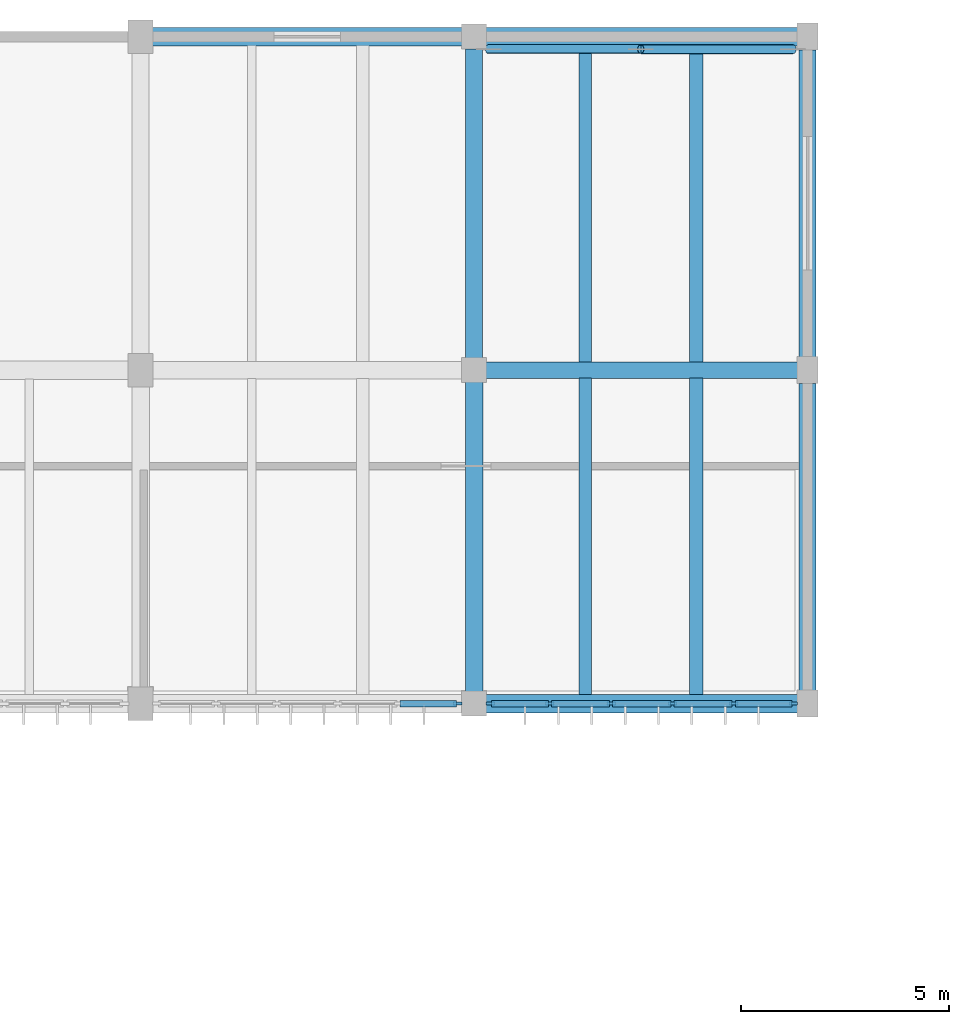
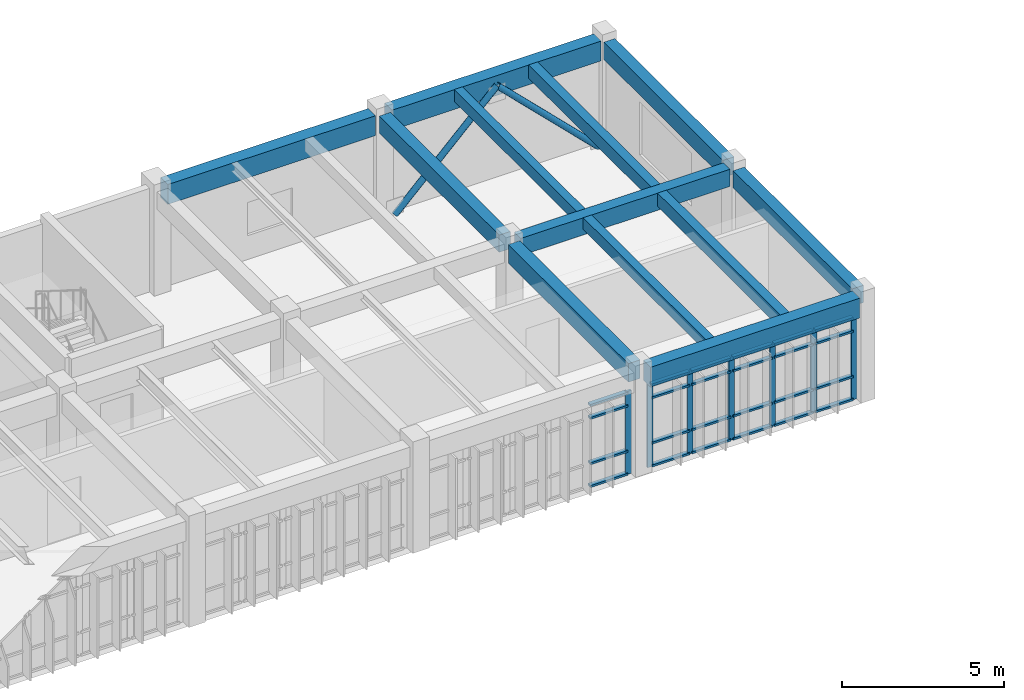
# One storey, part 28 of 67: 33 members, 12 beams, 2 elements without a shape of their own.
"""IFC4 building model written with IfcOpenShell, lengths in metres."""

from ifc_helpers import new_model, si_unit, direction, frame, origin, origin_2d, place, context, subcontext, project, spatial, rectangle, hollow_circle, extrude, material, material_profile, profile_set, type_object, element, aggregate, save


model = new_model("IFC4")

# Units and contexts
model_context = context("Model", 3, precision=1e-05, world=origin(), true_north=direction((0.0, 1.0)))
body_context = subcontext(model_context, "Body", "Model", "MODEL_VIEW")
ifc_project = project(units=[si_unit("LENGTHUNIT", "METRE"), si_unit("AREAUNIT", "SQUARE_METRE"), si_unit("VOLUMEUNIT", "CUBIC_METRE"), si_unit("PLANEANGLEUNIT", "RADIAN"), si_unit("MASSUNIT", "GRAM", prefix="KILO")], contexts=[model_context])

# Site, building, storey
site_placement = place(None, origin())
site = spatial("IfcSite", under=ifc_project, at=site_placement, CompositionType="ELEMENT")
building_placement = place(site_placement, origin())
building = spatial("IfcBuilding", under=site, at=building_placement, Name="Tlaxcora Railside Police Headquarters", CompositionType="ELEMENT")
storey_placement = place(building_placement, frame((0.0, 0.0, 4.800048828125)))
storey = spatial("IfcBuildingStorey", under=building, at=storey_placement, Name="L01", CompositionType="ELEMENT", Elevation=4.800048828125)

# Curtain wall, member
ifc_material_1 = material(Name="Thermally broken low-E insulated glazing", Category="glass")
curtain_wall_type_1 = type_object("IfcCurtainWallType", Name="Unitised Curtain Wall Assembly CW-38", PredefinedType="NOTDEFINED", material=ifc_material_1)
curtain_wall_1_placement = place(storey_placement, origin())
curtain_wall_1 = element("IfcCurtainWall", 1, at=curtain_wall_1_placement, inside=storey, type_object=curtain_wall_type_1, Name="V6 L01 curtain wall 149", PredefinedType="NOTDEFINED")
ifc_material_2 = material(Name="Anodised aluminium framing", Category="aluminium")
ifc_material_profile_1 = material_profile(ifc_material_2, rectangle(XDim=0.074951171875, YDim=0.205078125, at=origin_2d()), Name="AL75X205")
ifc_profile_set_1 = profile_set([ifc_material_profile_1], Name="Anodised aluminium framing")
member_type_1 = type_object("IfcMemberType", Name="Curtain Wall Mullion CW-32", PredefinedType="MULLION", material=ifc_profile_set_1)
member_1_placement = place(storey_placement, frame((150.41259765625, 76.800048828125, 0.0), z_axis=(0.0, 0.0, 1.0), x_axis=(0.0, 1.0, 0.0)))
member_1 = element("IfcMember", 2, at=member_1_placement, type_object=member_type_1, Name="CW mullion 6", PredefinedType="MULLION", context=body_context, shape_type="SweptSolid", body=[
    extrude(rectangle(XDim=0.074951171875, YDim=0.205078125, at=origin_2d()), origin(), (0.0, 0.0, 1.0), 3.139892578125),
])

# Curtain wall, members
curtain_wall_type_2 = type_object("IfcCurtainWallType", Name="Unitised Curtain Wall Assembly CW-15", PredefinedType="NOTDEFINED", material=ifc_material_1)
curtain_wall_2_placement = place(storey_placement, origin())
curtain_wall_2 = element("IfcCurtainWall", 3, at=curtain_wall_2_placement, inside=storey, type_object=curtain_wall_type_2, Name="V6 L01 curtain wall 150", PredefinedType="NOTDEFINED")
ifc_material_profile_2 = material_profile(ifc_material_2, rectangle(XDim=0.074951171875, YDim=0.199951171875, at=origin_2d()), Name="AL75X200")
ifc_profile_set_2 = profile_set([ifc_material_profile_2], Name="Anodised aluminium framing")
member_type_2 = type_object("IfcMemberType", Name="Curtain Wall Mullion CW-58", PredefinedType="MULLION", material=ifc_profile_set_2)
member_2_placement = place(storey_placement, frame((151.1875, 76.800048828125, 0.0), z_axis=(0.0, 0.0, 1.0), x_axis=(0.0, 1.0, 0.0)))
member_2 = element("IfcMember", 4, at=member_2_placement, type_object=member_type_2, Name="CW mullion 1", PredefinedType="MULLION", context=body_context, shape_type="SweptSolid", body=[
    extrude(rectangle(XDim=0.074951171875, YDim=0.199951171875, at=origin_2d()), origin(), (0.0, 0.0, 1.0), 3.139892578125),
])
member_3_placement = place(storey_placement, frame((152.6201171875, 76.800048828125, 0.0), z_axis=(0.0, 0.0, 1.0), x_axis=(0.0, 1.0, 0.0)))
member_3 = element("IfcMember", 5, at=member_3_placement, type_object=member_type_2, Name="CW mullion 2", PredefinedType="MULLION", context=body_context, shape_type="SweptSolid", body=[
    extrude(rectangle(XDim=0.074951171875, YDim=0.199951171875, at=origin_2d()), origin(), (0.0, 0.0, 1.0), 3.139892578125),
])
member_4_placement = place(storey_placement, frame((154.090087890625, 76.800048828125, 0.0), z_axis=(0.0, 0.0, 1.0), x_axis=(0.0, 1.0, 0.0)))
member_4 = element("IfcMember", 6, at=member_4_placement, type_object=member_type_2, Name="CW mullion 3", PredefinedType="MULLION", context=body_context, shape_type="SweptSolid", body=[
    extrude(rectangle(XDim=0.074951171875, YDim=0.199951171875, at=origin_2d()), origin(), (0.0, 0.0, 1.0), 3.139892578125),
])
member_5_placement = place(storey_placement, frame((155.56005859375, 76.800048828125, 0.0), z_axis=(0.0, 0.0, 1.0), x_axis=(0.0, 1.0, 0.0)))
member_5 = element("IfcMember", 7, at=member_5_placement, type_object=member_type_2, Name="CW mullion 4", PredefinedType="MULLION", context=body_context, shape_type="SweptSolid", body=[
    extrude(rectangle(XDim=0.074951171875, YDim=0.199951171875, at=origin_2d()), origin(), (0.0, 0.0, 1.0), 3.139892578125),
])
member_6_placement = place(storey_placement, frame((157.030029296875, 76.800048828125, 0.0), z_axis=(0.0, 0.0, 1.0), x_axis=(0.0, 1.0, 0.0)))
member_6 = element("IfcMember", 8, at=member_6_placement, type_object=member_type_2, Name="CW mullion 5", PredefinedType="MULLION", context=body_context, shape_type="SweptSolid", body=[
    extrude(rectangle(XDim=0.074951171875, YDim=0.199951171875, at=origin_2d()), origin(), (0.0, 0.0, 1.0), 3.139892578125),
])
member_7_placement = place(storey_placement, frame((158.46240234375, 76.800048828125, 0.0), z_axis=(0.0, 0.0, 1.0), x_axis=(0.0, 1.0, 0.0)))
member_7 = element("IfcMember", 9, at=member_7_placement, type_object=member_type_2, Name="CW mullion 6", PredefinedType="MULLION", context=body_context, shape_type="SweptSolid", body=[
    extrude(rectangle(XDim=0.074951171875, YDim=0.199951171875, at=origin_2d()), origin(), (0.0, 0.0, 1.0), 3.139892578125),
])
ifc_material_profile_3 = material_profile(ifc_material_2, rectangle(XDim=0.14990234375, YDim=0.074951171875, at=origin_2d()), Name="AL75X150")
ifc_profile_set_3 = profile_set([ifc_material_profile_3], Name="Anodised aluminium framing")
member_type_3 = type_object("IfcMemberType", Name="Curtain Wall Transom CW-28", PredefinedType="USERDEFINED", material=ifc_profile_set_3)
member_8_placement = place(storey_placement, frame((151.22509765625, 76.800048828125, 0.037353515625), z_axis=(1.0, 0.0, 0.0), x_axis=(0.0, 1.0, 0.0)))
member_8 = element("IfcMember", 10, at=member_8_placement, type_object=member_type_3, Name="CW transom 1.1", ObjectType="TRANSOM", PredefinedType="USERDEFINED", context=body_context, shape_type="SweptSolid", body=[
    extrude(rectangle(XDim=0.14990234375, YDim=0.074951171875, at=origin_2d()), origin(), (0.0, 0.0, 1.0), 1.357421875),
])
member_9_placement = place(storey_placement, frame((151.22509765625, 76.800048828125, 0.89990234375), z_axis=(1.0, 0.0, 0.0), x_axis=(0.0, 1.0, 0.0)))
member_9 = element("IfcMember", 11, at=member_9_placement, type_object=member_type_3, Name="CW transom 1.2", ObjectType="TRANSOM", PredefinedType="USERDEFINED", context=body_context, shape_type="SweptSolid", body=[
    extrude(rectangle(XDim=0.14990234375, YDim=0.074951171875, at=origin_2d()), origin(), (0.0, 0.0, 1.0), 1.357421875),
])
member_10_placement = place(storey_placement, frame((151.22509765625, 76.800048828125, 2.60986328125), z_axis=(1.0, 0.0, 0.0), x_axis=(0.0, 1.0, 0.0)))
member_10 = element("IfcMember", 12, at=member_10_placement, type_object=member_type_3, Name="CW transom 1.3", ObjectType="TRANSOM", PredefinedType="USERDEFINED", context=body_context, shape_type="SweptSolid", body=[
    extrude(rectangle(XDim=0.14990234375, YDim=0.074951171875, at=origin_2d()), origin(), (0.0, 0.0, 1.0), 1.357421875),
])
member_11_placement = place(storey_placement, frame((151.22509765625, 76.800048828125, 3.1025390625), z_axis=(1.0, 0.0, 0.0), x_axis=(0.0, 1.0, 0.0)))
member_11 = element("IfcMember", 13, at=member_11_placement, type_object=member_type_3, Name="CW transom 1.4", ObjectType="TRANSOM", PredefinedType="USERDEFINED", context=body_context, shape_type="SweptSolid", body=[
    extrude(rectangle(XDim=0.14990234375, YDim=0.074951171875, at=origin_2d()), origin(), (0.0, 0.0, 1.0), 1.357421875),
])
member_12_placement = place(storey_placement, frame((152.657470703125, 76.800048828125, 0.037353515625), z_axis=(1.0, 0.0, 0.0), x_axis=(0.0, 1.0, 0.0)))
member_12 = element("IfcMember", 14, at=member_12_placement, type_object=member_type_3, Name="CW transom 2.1", ObjectType="TRANSOM", PredefinedType="USERDEFINED", context=body_context, shape_type="SweptSolid", body=[
    extrude(rectangle(XDim=0.14990234375, YDim=0.074951171875, at=origin_2d()), origin(), (0.0, 0.0, 1.0), 1.39501953125),
])
member_13_placement = place(storey_placement, frame((152.657470703125, 76.800048828125, 0.89990234375), z_axis=(1.0, 0.0, 0.0), x_axis=(0.0, 1.0, 0.0)))
member_13 = element("IfcMember", 15, at=member_13_placement, type_object=member_type_3, Name="CW transom 2.2", ObjectType="TRANSOM", PredefinedType="USERDEFINED", context=body_context, shape_type="SweptSolid", body=[
    extrude(rectangle(XDim=0.14990234375, YDim=0.074951171875, at=origin_2d()), origin(), (0.0, 0.0, 1.0), 1.39501953125),
])
member_14_placement = place(storey_placement, frame((152.657470703125, 76.800048828125, 2.60986328125), z_axis=(1.0, 0.0, 0.0), x_axis=(0.0, 1.0, 0.0)))
member_14 = element("IfcMember", 16, at=member_14_placement, type_object=member_type_3, Name="CW transom 2.3", ObjectType="TRANSOM", PredefinedType="USERDEFINED", context=body_context, shape_type="SweptSolid", body=[
    extrude(rectangle(XDim=0.14990234375, YDim=0.074951171875, at=origin_2d()), origin(), (0.0, 0.0, 1.0), 1.39501953125),
])
member_15_placement = place(storey_placement, frame((152.657470703125, 76.800048828125, 3.1025390625), z_axis=(1.0, 0.0, 0.0), x_axis=(0.0, 1.0, 0.0)))
member_15 = element("IfcMember", 17, at=member_15_placement, type_object=member_type_3, Name="CW transom 2.4", ObjectType="TRANSOM", PredefinedType="USERDEFINED", context=body_context, shape_type="SweptSolid", body=[
    extrude(rectangle(XDim=0.14990234375, YDim=0.074951171875, at=origin_2d()), origin(), (0.0, 0.0, 1.0), 1.39501953125),
])
member_16_placement = place(storey_placement, frame((154.12744140625, 76.800048828125, 0.037353515625), z_axis=(1.0, 0.0, 0.0), x_axis=(0.0, 1.0, 0.0)))
member_16 = element("IfcMember", 18, at=member_16_placement, type_object=member_type_3, Name="CW transom 3.1", ObjectType="TRANSOM", PredefinedType="USERDEFINED", context=body_context, shape_type="SweptSolid", body=[
    extrude(rectangle(XDim=0.14990234375, YDim=0.074951171875, at=origin_2d()), origin(), (0.0, 0.0, 1.0), 1.39501953125),
])
member_17_placement = place(storey_placement, frame((154.12744140625, 76.800048828125, 0.89990234375), z_axis=(1.0, 0.0, 0.0), x_axis=(0.0, 1.0, 0.0)))
member_17 = element("IfcMember", 19, at=member_17_placement, type_object=member_type_3, Name="CW transom 3.2", ObjectType="TRANSOM", PredefinedType="USERDEFINED", context=body_context, shape_type="SweptSolid", body=[
    extrude(rectangle(XDim=0.14990234375, YDim=0.074951171875, at=origin_2d()), origin(), (0.0, 0.0, 1.0), 1.39501953125),
])
member_18_placement = place(storey_placement, frame((154.12744140625, 76.800048828125, 2.60986328125), z_axis=(1.0, 0.0, 0.0), x_axis=(0.0, 1.0, 0.0)))
member_18 = element("IfcMember", 20, at=member_18_placement, type_object=member_type_3, Name="CW transom 3.3", ObjectType="TRANSOM", PredefinedType="USERDEFINED", context=body_context, shape_type="SweptSolid", body=[
    extrude(rectangle(XDim=0.14990234375, YDim=0.074951171875, at=origin_2d()), origin(), (0.0, 0.0, 1.0), 1.39501953125),
])
member_19_placement = place(storey_placement, frame((154.12744140625, 76.800048828125, 3.1025390625), z_axis=(1.0, 0.0, 0.0), x_axis=(0.0, 1.0, 0.0)))
member_19 = element("IfcMember", 21, at=member_19_placement, type_object=member_type_3, Name="CW transom 3.4", ObjectType="TRANSOM", PredefinedType="USERDEFINED", context=body_context, shape_type="SweptSolid", body=[
    extrude(rectangle(XDim=0.14990234375, YDim=0.074951171875, at=origin_2d()), origin(), (0.0, 0.0, 1.0), 1.39501953125),
])
member_20_placement = place(storey_placement, frame((155.597412109375, 76.800048828125, 0.037353515625), z_axis=(1.0, 0.0, 0.0), x_axis=(0.0, 1.0, 0.0)))
member_20 = element("IfcMember", 22, at=member_20_placement, type_object=member_type_3, Name="CW transom 4.1", ObjectType="TRANSOM", PredefinedType="USERDEFINED", context=body_context, shape_type="SweptSolid", body=[
    extrude(rectangle(XDim=0.14990234375, YDim=0.074951171875, at=origin_2d()), origin(), (0.0, 0.0, 1.0), 1.39501953125),
])
member_21_placement = place(storey_placement, frame((155.597412109375, 76.800048828125, 0.89990234375), z_axis=(1.0, 0.0, 0.0), x_axis=(0.0, 1.0, 0.0)))
member_21 = element("IfcMember", 23, at=member_21_placement, type_object=member_type_3, Name="CW transom 4.2", ObjectType="TRANSOM", PredefinedType="USERDEFINED", context=body_context, shape_type="SweptSolid", body=[
    extrude(rectangle(XDim=0.14990234375, YDim=0.074951171875, at=origin_2d()), origin(), (0.0, 0.0, 1.0), 1.39501953125),
])
member_22_placement = place(storey_placement, frame((155.597412109375, 76.800048828125, 2.60986328125), z_axis=(1.0, 0.0, 0.0), x_axis=(0.0, 1.0, 0.0)))
member_22 = element("IfcMember", 24, at=member_22_placement, type_object=member_type_3, Name="CW transom 4.3", ObjectType="TRANSOM", PredefinedType="USERDEFINED", context=body_context, shape_type="SweptSolid", body=[
    extrude(rectangle(XDim=0.14990234375, YDim=0.074951171875, at=origin_2d()), origin(), (0.0, 0.0, 1.0), 1.39501953125),
])
member_23_placement = place(storey_placement, frame((155.597412109375, 76.800048828125, 3.1025390625), z_axis=(1.0, 0.0, 0.0), x_axis=(0.0, 1.0, 0.0)))
member_23 = element("IfcMember", 25, at=member_23_placement, type_object=member_type_3, Name="CW transom 4.4", ObjectType="TRANSOM", PredefinedType="USERDEFINED", context=body_context, shape_type="SweptSolid", body=[
    extrude(rectangle(XDim=0.14990234375, YDim=0.074951171875, at=origin_2d()), origin(), (0.0, 0.0, 1.0), 1.39501953125),
])
member_24_placement = place(storey_placement, frame((157.0673828125, 76.800048828125, 0.037353515625), z_axis=(1.0, 0.0, 0.0), x_axis=(0.0, 1.0, 0.0)))
member_24 = element("IfcMember", 26, at=member_24_placement, type_object=member_type_3, Name="CW transom 5.1", ObjectType="TRANSOM", PredefinedType="USERDEFINED", context=body_context, shape_type="SweptSolid", body=[
    extrude(rectangle(XDim=0.14990234375, YDim=0.074951171875, at=origin_2d()), origin(), (0.0, 0.0, 1.0), 1.357666015625),
])
member_25_placement = place(storey_placement, frame((157.0673828125, 76.800048828125, 0.89990234375), z_axis=(1.0, 0.0, 0.0), x_axis=(0.0, 1.0, 0.0)))
member_25 = element("IfcMember", 27, at=member_25_placement, type_object=member_type_3, Name="CW transom 5.2", ObjectType="TRANSOM", PredefinedType="USERDEFINED", context=body_context, shape_type="SweptSolid", body=[
    extrude(rectangle(XDim=0.14990234375, YDim=0.074951171875, at=origin_2d()), origin(), (0.0, 0.0, 1.0), 1.357666015625),
])
member_26_placement = place(storey_placement, frame((157.0673828125, 76.800048828125, 2.60986328125), z_axis=(1.0, 0.0, 0.0), x_axis=(0.0, 1.0, 0.0)))
member_26 = element("IfcMember", 28, at=member_26_placement, type_object=member_type_3, Name="CW transom 5.3", ObjectType="TRANSOM", PredefinedType="USERDEFINED", context=body_context, shape_type="SweptSolid", body=[
    extrude(rectangle(XDim=0.14990234375, YDim=0.074951171875, at=origin_2d()), origin(), (0.0, 0.0, 1.0), 1.357666015625),
])
member_27_placement = place(storey_placement, frame((157.0673828125, 76.800048828125, 3.1025390625), z_axis=(1.0, 0.0, 0.0), x_axis=(0.0, 1.0, 0.0)))
member_27 = element("IfcMember", 29, at=member_27_placement, type_object=member_type_3, Name="CW transom 5.4", ObjectType="TRANSOM", PredefinedType="USERDEFINED", context=body_context, shape_type="SweptSolid", body=[
    extrude(rectangle(XDim=0.14990234375, YDim=0.074951171875, at=origin_2d()), origin(), (0.0, 0.0, 1.0), 1.357666015625),
])
aggregate(curtain_wall_2, [member_2, member_3, member_4, member_5, member_6, member_7, member_8, member_9, member_10, member_11, member_12, member_13, member_14, member_15, member_16, member_17, member_18, member_19, member_20, member_21, member_22, member_23, member_24, member_25, member_26, member_27])

# Member
ifc_material_profile_4 = material_profile(ifc_material_2, rectangle(XDim=0.155029296875, YDim=0.074951171875, at=origin_2d()), Name="AL75X155")
ifc_profile_set_4 = profile_set([ifc_material_profile_4], Name="Anodised aluminium framing")
member_type_4 = type_object("IfcMemberType", Name="Curtain Wall Transom CW-30", PredefinedType="USERDEFINED", material=ifc_profile_set_4)
member_28_placement = place(storey_placement, frame((149.027587890625, 76.800048828125, 0.037353515625), z_axis=(1.0, 0.0, 0.0), x_axis=(0.0, 1.0, 0.0)))
member_28 = element("IfcMember", 30, at=member_28_placement, type_object=member_type_4, Name="CW transom 5.1", ObjectType="TRANSOM", PredefinedType="USERDEFINED", context=body_context, shape_type="SweptSolid", body=[
    extrude(rectangle(XDim=0.155029296875, YDim=0.074951171875, at=origin_2d()), origin(), (0.0, 0.0, 1.0), 1.347412109375),
])

member_29_placement = place(storey_placement, frame((149.027587890625, 76.800048828125, 0.89990234375), z_axis=(1.0, 0.0, 0.0), x_axis=(0.0, 1.0, 0.0)))
member_29 = element("IfcMember", 31, at=member_29_placement, type_object=member_type_4, Name="CW transom 5.2", ObjectType="TRANSOM", PredefinedType="USERDEFINED", context=body_context, shape_type="SweptSolid", body=[
    extrude(rectangle(XDim=0.155029296875, YDim=0.074951171875, at=origin_2d()), origin(), (0.0, 0.0, 1.0), 1.347412109375),
])

member_30_placement = place(storey_placement, frame((149.027587890625, 76.800048828125, 2.60986328125), z_axis=(1.0, 0.0, 0.0), x_axis=(0.0, 1.0, 0.0)))
member_30 = element("IfcMember", 32, at=member_30_placement, type_object=member_type_4, Name="CW transom 5.3", ObjectType="TRANSOM", PredefinedType="USERDEFINED", context=body_context, shape_type="SweptSolid", body=[
    extrude(rectangle(XDim=0.155029296875, YDim=0.074951171875, at=origin_2d()), origin(), (0.0, 0.0, 1.0), 1.347412109375),
])

member_31_placement = place(storey_placement, frame((149.027587890625, 76.800048828125, 3.1025390625), z_axis=(1.0, 0.0, 0.0), x_axis=(0.0, 1.0, 0.0)))
member_31 = element("IfcMember", 33, at=member_31_placement, type_object=member_type_4, Name="CW transom 5.4", ObjectType="TRANSOM", PredefinedType="USERDEFINED", context=body_context, shape_type="SweptSolid", body=[
    extrude(rectangle(XDim=0.155029296875, YDim=0.074951171875, at=origin_2d()), origin(), (0.0, 0.0, 1.0), 1.347412109375),
])

aggregate(curtain_wall_1, [member_1, member_28, member_29, member_30, member_31])

# Members
ifc_material_3 = material(Name="Steel ASTM A992 Grade 50", Category="steel")
ifc_material_profile_5 = material_profile(ifc_material_3, hollow_circle(Radius=0.109619140625, WallThickness=0.010009765625, at=origin_2d()), Name="CHS219X10")
ifc_profile_set_5 = profile_set([ifc_material_profile_5], Name="Steel ASTM A992 Grade 50")
member_type_5 = type_object("IfcMemberType", Name="Diagonal Brace Member MB-18", PredefinedType="BRACE", material=ifc_profile_set_5)
member_32_placement = place(storey_placement, frame((151.14990234375, 92.5, 0.0), z_axis=(0.711994822598, 0.0, 0.702184714013), x_axis=(0.0, 1.0, 0.0)))
element("IfcMember", 34, at=member_32_placement, inside=storey, type_object=member_type_5, Name="Chevron brace 6A", PredefinedType="BRACE", context=body_context, shape_type="SweptSolid", body=[
    extrude(hollow_circle(Radius=0.109619140625, WallThickness=0.010009765625, at=origin_2d()), origin(), (0.0, 0.0, 1.0), 5.126708984375),
])
member_33_placement = place(storey_placement, frame((158.449951171875, 92.5, 0.0), z_axis=(-0.711971340796, 0.0, 0.702208523079), x_axis=(0.0, -1.0, 0.0)))
element("IfcMember", 35, at=member_33_placement, inside=storey, type_object=member_type_5, Name="Chevron brace 6B", PredefinedType="BRACE", context=body_context, shape_type="SweptSolid", body=[
    extrude(hollow_circle(Radius=0.109619140625, WallThickness=0.010009765625, at=origin_2d()), origin(), (0.0, 0.0, 1.0), 5.12646484375),
])

# Beams
ifc_material_4 = material(Name="Concrete C40/50", Category="concrete")
ifc_material_profile_6 = material_profile(ifc_material_4, rectangle(XDim=0.39990234375, YDim=0.64990234375, at=origin_2d()), Name="RC400X650")
ifc_profile_set_6 = profile_set([ifc_material_profile_6], Name="Concrete C40/50")
beam_type_1 = type_object("IfcBeamType", Name="Perimeter Spandrel Beam BM-46", PredefinedType="SPANDREL", material=ifc_profile_set_6)
for number, where, z_axis, x_axis, name in (
    (36, (158.800048828125, 77.114990234375, 3.5849609375), (0.0, 1.0, 0.0), (-1.0, 0.0, 0.0), "V6 L01 Y-girder X=158.8"),
    (37, (158.800048828125, 85.114990234375, 3.5849609375), (0.0, 1.0, 0.0), (-1.0, 0.0, 0.0), "V6 L01 Y-girder X=158.8"),
):
    element("IfcBeam", number, at=place(storey_placement, frame(where, z_axis=z_axis, x_axis=x_axis)), inside=storey, type_object=beam_type_1, Name=name, PredefinedType="SPANDREL", context=body_context, shape_type="SweptSolid", body=[
        extrude(rectangle(XDim=0.39990234375, YDim=0.64990234375, at=origin_2d()), origin(), (0.0, 0.0, 1.0), 7.3701171875),
    ])
ifc_material_profile_7 = material_profile(ifc_material_4, rectangle(XDim=0.449951171875, YDim=0.75, at=origin_2d()), Name="RC450X750")
ifc_profile_set_7 = profile_set([ifc_material_profile_7], Name="Concrete C40/50")
beam_type_2 = type_object("IfcBeamType", Name="Perimeter Spandrel Beam BM-86", PredefinedType="SPANDREL", material=ifc_profile_set_7)
beam_1_placement = place(storey_placement, frame((151.090087890625, 76.800048828125, 3.534912109375), z_axis=(1.0, 0.0, 0.0), x_axis=(0.0, 1.0, 0.0)))
element("IfcBeam", 38, at=beam_1_placement, inside=storey, type_object=beam_type_2, Name="V6 L01 X-girder Y=76.8", PredefinedType="SPANDREL", context=body_context, shape_type="SweptSolid", body=[
    extrude(rectangle(XDim=0.449951171875, YDim=0.75, at=origin_2d()), origin(), (0.0, 0.0, 1.0), 7.469970703125),
])
beam_2_placement = place(storey_placement, frame((143.090087890625, 92.800048828125, 3.534912109375), z_axis=(1.0, 0.0, 0.0), x_axis=(0.0, 1.0, 0.0)))
element("IfcBeam", 39, at=beam_2_placement, inside=storey, type_object=beam_type_2, Name="V6 L01 X-girder Y=92.8", PredefinedType="SPANDREL", context=body_context, shape_type="SweptSolid", body=[
    extrude(rectangle(XDim=0.449951171875, YDim=0.75, at=origin_2d()), origin(), (0.0, 0.0, 1.0), 7.419921875),
])
beam_3_placement = place(storey_placement, frame((151.090087890625, 92.800048828125, 3.534912109375), z_axis=(1.0, 0.0, 0.0), x_axis=(0.0, 1.0, 0.0)))
element("IfcBeam", 40, at=beam_3_placement, inside=storey, type_object=beam_type_2, Name="V6 L01 X-girder Y=92.8", PredefinedType="SPANDREL", context=body_context, shape_type="SweptSolid", body=[
    extrude(rectangle(XDim=0.449951171875, YDim=0.75, at=origin_2d()), origin(), (0.0, 0.0, 1.0), 7.469970703125),
])
ifc_material_profile_8 = material_profile(ifc_material_4, rectangle(XDim=0.419921875, YDim=0.699951171875, at=origin_2d()), Name="RC420X700")
ifc_profile_set_8 = profile_set([ifc_material_profile_8], Name="Concrete C40/50")
beam_type_3 = type_object("IfcBeamType", Name="Primary Frame Girder BM-35", PredefinedType="BEAM", material=ifc_profile_set_8)
beam_4_placement = place(storey_placement, frame((150.800048828125, 77.090087890625, 3.56005859375), z_axis=(0.0, 1.0, 0.0), x_axis=(-1.0, 0.0, 0.0)))
element("IfcBeam", 41, at=beam_4_placement, inside=storey, type_object=beam_type_3, Name="V6 L01 Y-girder X=150.8", PredefinedType="BEAM", context=body_context, shape_type="SweptSolid", body=[
    extrude(rectangle(XDim=0.419921875, YDim=0.699951171875, at=origin_2d()), origin(), (0.0, 0.0, 1.0), 7.419921875),
])
ifc_material_profile_9 = material_profile(ifc_material_4, rectangle(XDim=0.39990234375, YDim=0.64990234375, at=origin_2d()), Name="RC400X650")
ifc_profile_set_9 = profile_set([ifc_material_profile_9], Name="Concrete C40/50")
beam_type_4 = type_object("IfcBeamType", Name="Primary Frame Girder BM-41", PredefinedType="BEAM", material=ifc_profile_set_9)
beam_5_placement = place(storey_placement, frame((151.090087890625, 84.800048828125, 3.5849609375), z_axis=(1.0, 0.0, 0.0), x_axis=(0.0, 1.0, 0.0)))
element("IfcBeam", 42, at=beam_5_placement, inside=storey, type_object=beam_type_4, Name="V6 L01 X-girder Y=84.8", PredefinedType="BEAM", context=body_context, shape_type="SweptSolid", body=[
    extrude(rectangle(XDim=0.39990234375, YDim=0.64990234375, at=origin_2d()), origin(), (0.0, 0.0, 1.0), 7.469970703125),
])
beam_6_placement = place(storey_placement, frame((150.800048828125, 85.090087890625, 3.5849609375), z_axis=(0.0, 1.0, 0.0), x_axis=(-1.0, 0.0, 0.0)))
element("IfcBeam", 43, at=beam_6_placement, inside=storey, type_object=beam_type_4, Name="V6 L01 Y-girder X=150.8", PredefinedType="BEAM", context=body_context, shape_type="SweptSolid", body=[
    extrude(rectangle(XDim=0.39990234375, YDim=0.64990234375, at=origin_2d()), origin(), (0.0, 0.0, 1.0), 7.419921875),
])
ifc_material_5 = material(Name="Concrete C35/45", Category="concrete")
ifc_material_profile_10 = material_profile(ifc_material_5, rectangle(XDim=0.300048828125, YDim=0.449951171875, at=origin_2d()), Name="RC300X450")
ifc_profile_set_10 = profile_set([ifc_material_profile_10], Name="Concrete C35/45")
beam_type_5 = type_object("IfcBeamType", Name="Secondary Floor Joist BM-27", PredefinedType="JOIST", material=ifc_profile_set_10)
beam_7_placement = place(storey_placement, frame((153.466796875, 77.01708984375, 3.68505859375), z_axis=(0.0, 1.0, 0.0), x_axis=(-1.0, 0.0, 0.0)))
element("IfcBeam", 44, at=beam_7_placement, inside=storey, type_object=beam_type_5, Name="V6 L01 floor joist X=153.47", PredefinedType="JOIST", context=body_context, shape_type="SweptSolid", body=[
    extrude(rectangle(XDim=0.300048828125, YDim=0.449951171875, at=origin_2d()), origin(), (0.0, 0.0, 1.0), 7.5908203125),
])
beam_8_placement = place(storey_placement, frame((153.466796875, 84.991943359375, 3.68505859375), z_axis=(0.0, 1.0, 0.0), x_axis=(-1.0, 0.0, 0.0)))
element("IfcBeam", 45, at=beam_8_placement, inside=storey, type_object=beam_type_5, Name="V6 L01 floor joist X=153.47", PredefinedType="JOIST", context=body_context, shape_type="SweptSolid", body=[
    extrude(rectangle(XDim=0.300048828125, YDim=0.449951171875, at=origin_2d()), origin(), (0.0, 0.0, 1.0), 7.591064453125),
])
ifc_material_profile_11 = material_profile(ifc_material_5, rectangle(XDim=0.320068359375, YDim=0.5, at=origin_2d()), Name="RC320X500")
ifc_profile_set_11 = profile_set([ifc_material_profile_11], Name="Concrete C35/45")
beam_type_6 = type_object("IfcBeamType", Name="Secondary Floor Joist BM-88", PredefinedType="JOIST", material=ifc_profile_set_11)
beam_9_placement = place(storey_placement, frame((156.13330078125, 77.01708984375, 3.659912109375), z_axis=(0.0, 1.0, 0.0), x_axis=(-1.0, 0.0, 0.0)))
element("IfcBeam", 46, at=beam_9_placement, inside=storey, type_object=beam_type_6, Name="V6 L01 floor joist X=156.13", PredefinedType="JOIST", context=body_context, shape_type="SweptSolid", body=[
    extrude(rectangle(XDim=0.320068359375, YDim=0.5, at=origin_2d()), origin(), (0.0, 0.0, 1.0), 7.5908203125),
])
beam_10_placement = place(storey_placement, frame((156.13330078125, 84.991943359375, 3.659912109375), z_axis=(0.0, 1.0, 0.0), x_axis=(-1.0, 0.0, 0.0)))
element("IfcBeam", 47, at=beam_10_placement, inside=storey, type_object=beam_type_6, Name="V6 L01 floor joist X=156.13", PredefinedType="JOIST", context=body_context, shape_type="SweptSolid", body=[
    extrude(rectangle(XDim=0.320068359375, YDim=0.5, at=origin_2d()), origin(), (0.0, 0.0, 1.0), 7.591064453125),
])

save(model, "model.ifc")
